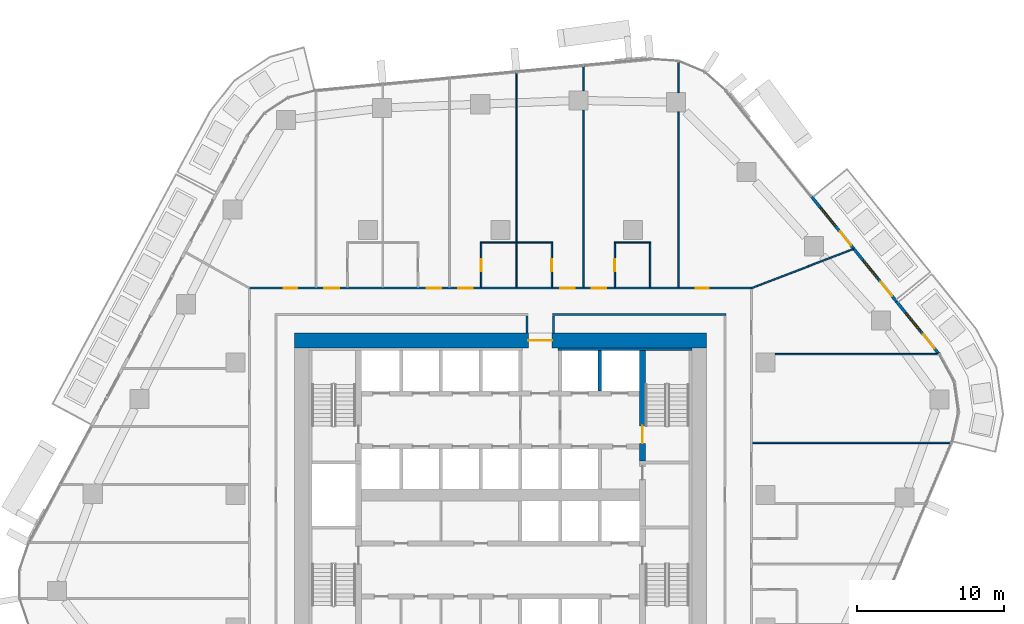
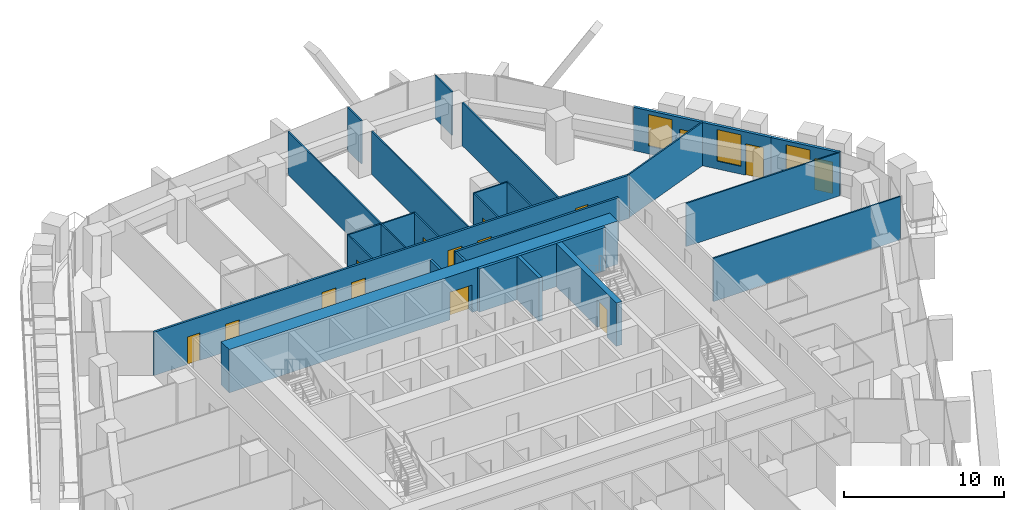
# One storey, part 16 of 23: 25 walls, 15 doors, 3 windows, 18 openings.
"""IFC4 building model written with IfcOpenShell, lengths in metres."""

import ifcopenshell
import ifcopenshell.guid

model = None  # the IFC model being written
_history = None  # IfcOwnerHistory: only IFC2X3 demands one
_inside = {}  # id of a spatial element -> (the spatial element, [elements in it])
_under = {}  # id of a project, library or spatial element -> (it, [spatial elements below it])
_declared = {}  # id of a project -> (the project, [libraries it declares])
_typed = {}  # id of a type object -> (the type object, [elements of that type])
_made_of = {}  # id of a material, layer set ... -> (it, [elements and type objects made of it])


def new_model(schema):
    """Start an empty IFC model of exactly this schema.

    Asked for "IFC4X3", IfcOpenShell would pick the latest addendum, in which some entities
    have other attributes; the version numbers below select the first issue.
    IFC2X3 requires an IfcOwnerHistory on every rooted entity: one is made here for all.
    """
    global model, _history
    if schema == "IFC4X3":
        model = ifcopenshell.file(schema_version=(4, 3, 0, 0))
    else:
        model = ifcopenshell.file(schema=schema)
    _inside.clear()
    _under.clear()
    _declared.clear()
    _typed.clear()
    _made_of.clear()
    _history = None
    if model.schema == "IFC2X3":
        org = make("IfcOrganization", Name="unknown")
        user = make(
            "IfcPersonAndOrganization",
            ThePerson=make("IfcPerson", FamilyName="unknown"),
            TheOrganization=org,
        )
        app = make(
            "IfcApplication",
            ApplicationDeveloper=org,
            Version="unknown",
            ApplicationFullName="unknown",
            ApplicationIdentifier="unknown",
        )
        _history = make(
            "IfcOwnerHistory",
            OwningUser=user,
            OwningApplication=app,
            ChangeAction="ADDED",
            CreationDate=0,
        )
    return model


def make(cls, **values):
    """One entity of the class cls with the attributes given. An attribute that is None is left unset."""
    return model.create_entity(
        cls, **{name: value for name, value in values.items() if value is not None}
    )


def rooted(cls, **values):
    """An entity with a GlobalId (a new one), such as an element, a storey or a relation."""
    return make(cls, GlobalId=ifcopenshell.guid.new(), OwnerHistory=_history, **values)


def si_unit(unit_type, name, prefix=None):
    """IfcSIUnit, for example si_unit("LENGTHUNIT", "METRE", prefix="MILLI")."""
    return make("IfcSIUnit", UnitType=unit_type, Prefix=prefix, Name=name)


def assignment(units):
    """IfcUnitAssignment: the units of a project."""
    return None if units is None else make("IfcUnitAssignment", Units=units)


def point(xyz):
    """IfcCartesianPoint."""
    return None if xyz is None else make("IfcCartesianPoint", Coordinates=xyz)


def direction(xyz):
    """IfcDirection."""
    return None if xyz is None else make("IfcDirection", DirectionRatios=xyz)


def frame(location, z_axis=None, x_axis=None):
    """IfcAxis2Placement3D, a coordinate frame: its origin and axes. An axis left out is left unset."""
    return make(
        "IfcAxis2Placement3D",
        Location=point(location),
        Axis=direction(z_axis),
        RefDirection=direction(x_axis),
    )


def frame_2d(location, x_axis=None):
    """IfcAxis2Placement2D, a coordinate frame in the plane: its origin and x axis."""
    return make(
        "IfcAxis2Placement2D", Location=point(location), RefDirection=direction(x_axis)
    )


def origin():
    """The frame at (0, 0, 0) with its axes left unset."""
    return frame((0.0, 0.0, 0.0))


def place(relative_to, where):
    """IfcLocalPlacement: puts the frame where relative to a parent placement (None: the world)."""
    return make(
        "IfcLocalPlacement", PlacementRelTo=relative_to, RelativePlacement=where
    )


def context(
    kind, dimensions, precision=None, world=None, true_north=None, identifier=None
):
    """IfcGeometricRepresentationContext, for example the 3D "Model" context."""
    return make(
        "IfcGeometricRepresentationContext",
        ContextIdentifier=identifier,
        ContextType=kind,
        CoordinateSpaceDimension=dimensions,
        Precision=precision,
        WorldCoordinateSystem=world,
        TrueNorth=true_north,
    )


def subcontext(parent, identifier, kind, view, scale=None):
    """IfcGeometricRepresentationSubContext, for example "Body" below "Model"."""
    return make(
        "IfcGeometricRepresentationSubContext",
        ContextIdentifier=identifier,
        ContextType=kind,
        ParentContext=parent,
        TargetScale=scale,
        TargetView=view,
    )


def project(units=None, contexts=None):
    """IfcProject with its units and contexts."""
    return rooted(
        "IfcProject",
        Name="project",
        RepresentationContexts=contexts,
        UnitsInContext=assignment(units),
    )


def spatial(cls, under=None, at=None, **own):
    """A site, building, storey or space (cls), placed at a placement, below another one or the project."""
    s = rooted(cls, ObjectPlacement=at, **own)
    if under is not None:
        _under.setdefault(under.id(), (under, []))[1].append(s)
    return s


def profile(cls, at=None, kind="AREA", **sizes):
    """A parametric profile (cls). Its sizes go by their IFC names, for example OverallWidth=200.0."""
    return make(cls, ProfileType=kind, Position=at, **sizes)


def rectangle(**sizes):
    """IfcRectangleProfileDef."""
    return profile("IfcRectangleProfileDef", **sizes)


def extrude(swept, where, along, depth):
    """IfcExtrudedAreaSolid: the profile swept, set in the frame where, extruded along a direction by depth."""
    return make(
        "IfcExtrudedAreaSolid",
        SweptArea=swept,
        Position=where,
        ExtrudedDirection=direction(along),
        Depth=depth,
    )


def shape(context_of_items, identifier, shape_type, items):
    """IfcShapeRepresentation: the items that make up one representation, for example the "Body"."""
    return make(
        "IfcShapeRepresentation",
        ContextOfItems=context_of_items,
        RepresentationIdentifier=identifier,
        RepresentationType=shape_type,
        Items=items,
    )


def material(Name=None, Category=None):
    """IfcMaterial."""
    return make("IfcMaterial", Name=Name, Category=Category)


def layer(
    of_material, thickness, ventilated=None, Name=None, Category=None, Priority=None
):
    """IfcMaterialLayer: one layer of a wall or slab, of a material (None: an air gap)."""
    return make(
        "IfcMaterialLayer",
        Material=of_material,
        LayerThickness=thickness,
        IsVentilated=ventilated,
        Name=Name,
        Category=Category,
        Priority=Priority,
    )


def layer_set(layers, Name=None):
    """IfcMaterialLayerSet."""
    return make("IfcMaterialLayerSet", MaterialLayers=layers, LayerSetName=Name)


def made_of(thing, what):
    """Note that an element or type object is made of a material, layer set ...; save() writes the relation."""
    if what is not None:
        _made_of.setdefault(what.id(), (what, []))[1].append(thing)
    return thing


def type_object(cls, material=None, **own):
    """A type object (cls), such as IfcWallType, which elements share."""
    return made_of(rooted(cls, **own), material)


def element(
    cls,
    number,
    at=None,
    inside=None,
    cuts=None,
    type_object=None,
    material=None,
    context=None,
    identifier="Body",
    shape_type=None,
    held_by="IfcProductDefinitionShape",
    body=None,
    shapes=None,
    **own,
):
    """One element of the class cls, such as IfcWall. Its Tag is "e" and its number.

    at: its placement. inside: the storey or other place that contains it. cuts: it is an
    opening in that element (IfcRelVoidsElement). A single representation is given by context,
    identifier, shape_type and body (its items); several are given by shapes. held_by: the class
    of the entity that holds the representations. save() writes the other relations.
    """
    e = rooted(cls, Tag="e%d" % number, ObjectPlacement=at, **own)
    if body is not None:
        shapes = [shape(context, identifier, shape_type, body)]
    if shapes is not None:
        e.Representation = make(held_by, Representations=shapes)
    if inside is not None:
        _inside.setdefault(inside.id(), (inside, []))[1].append(e)
    if cuts is not None:
        rooted(
            "IfcRelVoidsElement", RelatingBuildingElement=cuts, RelatedOpeningElement=e
        )
    if type_object is not None:
        _typed.setdefault(type_object.id(), (type_object, []))[1].append(e)
    return made_of(e, material)


def fill(opening, filler):
    """IfcRelFillsElement: the door or window that sits in an opening."""
    return rooted(
        "IfcRelFillsElement",
        RelatingOpeningElement=opening,
        RelatedBuildingElement=filler,
    )


def aggregate(whole, parts):
    """IfcRelAggregates: a whole, such as a stair, and the parts it consists of."""
    return rooted("IfcRelAggregates", RelatingObject=whole, RelatedObjects=parts)


def save(model, path):
    """Write the relations noted so far, then the file.

    IfcRelAggregates (storeys below a building ...), IfcRelContainedInSpatialStructure (elements
    in a storey), IfcRelDefinesByType, IfcRelAssociatesMaterial and IfcRelDeclares: one each for
    every whole, place, type object, material and project.
    """
    for whole, parts in _under.values():
        aggregate(whole, parts)
    for where, things in _inside.values():
        rooted(
            "IfcRelContainedInSpatialStructure",
            RelatedElements=things,
            RelatingStructure=where,
        )
    for kind, things in _typed.values():
        rooted("IfcRelDefinesByType", RelatedObjects=things, RelatingType=kind)
    for what, things in _made_of.values():
        rooted("IfcRelAssociatesMaterial", RelatedObjects=things, RelatingMaterial=what)
    for by, libraries in _declared.values():
        rooted("IfcRelDeclares", RelatingContext=by, RelatedDefinitions=libraries)
    model.write(path)


model = new_model("IFC4")

# Units and contexts
model_context = context("Model", 3, precision=1e-05, world=origin(), true_north=direction((0.0, 1.0)))
body_context = subcontext(model_context, "Body", "Model", "MODEL_VIEW")
ifc_project = project(units=[si_unit("LENGTHUNIT", "METRE"), si_unit("AREAUNIT", "SQUARE_METRE"), si_unit("VOLUMEUNIT", "CUBIC_METRE"), si_unit("PLANEANGLEUNIT", "RADIAN"), si_unit("MASSUNIT", "GRAM", prefix="KILO")], contexts=[model_context])

# Site, building, storey
site_placement = place(None, origin())
site = spatial("IfcSite", under=ifc_project, at=site_placement, CompositionType="ELEMENT")
building_placement = place(site_placement, origin())
building = spatial("IfcBuilding", under=site, at=building_placement, Name="Dongbaek Canopy Tower", CompositionType="ELEMENT")
storey_placement = place(building_placement, frame((0.0, 0.0, 121.10009765625)))
storey = spatial("IfcBuildingStorey", under=building, at=storey_placement, Name="L26", CompositionType="ELEMENT", Elevation=121.10009765625)

# Wall, opening, door
ifc_material_1 = material(Name="Concrete C60/75", Category="concrete")
ifc_layer_1 = layer(ifc_material_1, 1.0)
ifc_layer_set_1 = layer_set([ifc_layer_1], Name="Core outer wall 1000 Concrete C60/75")
wall_type_1 = type_object("IfcWallType", Name="Core outer wall 1000 Concrete C60/75", PredefinedType="SHEAR", material=ifc_layer_set_1)
wall_1_placement = place(storey_placement, frame((-14.0, 10.5, 0.0), z_axis=(0.0, 0.0, 1.0), x_axis=(1.0, 0.0, 0.0)))
wall_1 = element("IfcWall", 1, at=wall_1_placement, inside=storey, type_object=wall_type_1, Name="Core wall", PredefinedType="SHEAR", context=body_context, shape_type="SweptSolid", body=[
    extrude(rectangle(XDim=28.0, YDim=1.0, at=frame_2d((14.0, 0.0))), origin(), (0.0, 0.0, 1.0), 3.2998046875),
])
opening_1_placement = place(wall_1_placement, frame((15.89990234375, 0.0, 0.0)))
opening_1 = element("IfcOpeningElement", 2, at=opening_1_placement, cuts=wall_1, Name="Opening L26-D048", PredefinedType="OPENING", context=body_context, shape_type="SweptSolid", body=[
    extrude(rectangle(XDim=1.60009765625, YDim=2.10009765625, at=frame_2d((0.800048828125, 1.050048828125))), frame((0.0, 0.510009765625, 0.0), z_axis=(0.0, -1.0, 0.0), x_axis=(1.0, 0.0, 0.0)), (0.0, 0.0, 1.0), 1.02001953125),
])
ifc_material_2 = material(Name="Steel", Category="steel")
door_type_1 = type_object("IfcDoorType", Name="Core exit door 1600 x 2100", OperationType="DOUBLE_DOOR_SINGLE_SWING", PredefinedType="DOOR", material=ifc_material_2)
door_1_placement = place(opening_1_placement, origin())
door_1 = element("IfcDoor", 3, at=door_1_placement, inside=storey, type_object=door_type_1, Name="Core exit door", OperationType="DOUBLE_DOOR_SINGLE_SWING", OverallHeight=2.10009765625, OverallWidth=1.60009765625, PredefinedType="DOOR", context=body_context, shape_type="SweptSolid", body=[
    extrude(rectangle(XDim=1.60009765625, YDim=2.10009765625, at=frame_2d((0.800048828125, 1.050048828125))), frame((0.0, 0.02490234375, 0.0), z_axis=(0.0, -1.0, 0.0), x_axis=(1.0, 0.0, 0.0)), (0.0, 0.0, 1.0), 0.050048828125),
])
fill(opening_1, door_1)

# Walls
ifc_material_3 = material(Name="Concrete C60/75", Category="concrete")
ifc_layer_2 = layer(ifc_material_3, 0.199951171875)
ifc_layer_set_2 = layer_set([ifc_layer_2], Name="Core wall lining 200 Concrete C60/75")
wall_type_2 = type_object("IfcWallType", Name="Core wall lining 200 Concrete C60/75", PredefinedType="SHEAR", material=ifc_layer_set_2)
wall_2_placement = place(storey_placement, frame((3.89990234375, 9.89990234375, 0.0), z_axis=(0.0, 0.0, 1.0), x_axis=(1.0, 0.0, 0.0)))
element("IfcWall", 4, at=wall_2_placement, inside=storey, type_object=wall_type_2, Name="Core wall lining", PredefinedType="SHEAR", context=body_context, shape_type="SweptSolid", body=[
    extrude(rectangle(XDim=9.10009765625, YDim=0.199951171875, at=frame_2d((4.550048828125, 0.0))), origin(), (0.0, 0.0, 1.0), 3.2998046875),
])
ifc_material_4 = material(Name="Gypsum board partition, steel stud, 2 x 15 mm fire board", Category="steel")
ifc_layer_3 = layer(ifc_material_4, 0.14990234375)
ifc_layer_set_3 = layer_set([ifc_layer_3], Name="Fire-rated partition 150 gypsum board")
wall_type_3 = type_object("IfcWallType", Name="Fire-rated partition 150 gypsum board", PredefinedType="PARTITIONING", material=ifc_layer_set_3)
wall_3_placement = place(storey_placement, frame((3.52490234375, 12.25, 0.0), z_axis=(0.0, 0.0, 1.0), x_axis=(1.0, 0.0, 0.0)))
element("IfcWall", 5, at=wall_3_placement, inside=storey, type_object=wall_type_3, Name="Corridor partition", PredefinedType="PARTITIONING", context=body_context, shape_type="SweptSolid", body=[
    extrude(rectangle(XDim=11.800048828125, YDim=0.14990234375, at=frame_2d((5.89990234375, 0.0))), origin(), (0.0, 0.0, 1.0), 3.2998046875),
])

# Wall, openings, doors
wall_4_placement = place(storey_placement, frame((-17.125, 14.050048828125, 0.0), z_axis=(0.0, 0.0, 1.0), x_axis=(1.0, 0.0, 0.0)))
wall_4 = element("IfcWall", 6, at=wall_4_placement, inside=storey, type_object=wall_type_3, Name="Corridor partition", PredefinedType="PARTITIONING", context=body_context, shape_type="SweptSolid", body=[
    extrude(rectangle(XDim=34.25, YDim=0.14990234375, at=frame_2d((17.125, 0.0))), origin(), (0.0, 0.0, 1.0), 3.2998046875),
])
opening_2_placement = place(wall_4_placement, frame((30.376708984375, 0.0, 0.0)))
opening_2 = element("IfcOpeningElement", 7, at=opening_2_placement, cuts=wall_4, Name="Opening L26-D026", PredefinedType="OPENING", context=body_context, shape_type="SweptSolid", body=[
    extrude(rectangle(XDim=0.89990234375, YDim=2.10009765625, at=frame_2d((0.449951171875, 1.050048828125))), frame((0.0, 0.0849609375, 0.0), z_axis=(0.0, -1.0, 0.0), x_axis=(1.0, 0.0, 0.0)), (0.0, 0.0, 1.0), 0.169921875),
])
opening_3_placement = place(wall_4_placement, frame((23.320556640625, 0.0, 0.0)))
opening_3 = element("IfcOpeningElement", 8, at=opening_3_placement, cuts=wall_4, Name="Opening L26-D028", PredefinedType="OPENING", context=body_context, shape_type="SweptSolid", body=[
    extrude(rectangle(XDim=1.0, YDim=2.10009765625, at=frame_2d((0.5, 1.050048828125))), frame((0.0, 0.0849609375, 0.0), z_axis=(0.0, -1.0, 0.0), x_axis=(1.0, 0.0, 0.0)), (0.0, 0.0, 1.0), 0.169921875),
])
opening_4_placement = place(wall_4_placement, frame((21.182861328125, 0.0, 0.0)))
opening_4 = element("IfcOpeningElement", 9, at=opening_4_placement, cuts=wall_4, Name="Opening L26-D030", PredefinedType="OPENING", context=body_context, shape_type="SweptSolid", body=[
    extrude(rectangle(XDim=1.0, YDim=2.10009765625, at=frame_2d((0.5, 1.050048828125))), frame((0.0, 0.0849609375, 0.0), z_axis=(0.0, -1.0, 0.0), x_axis=(1.0, 0.0, 0.0)), (0.0, 0.0, 1.0), 0.169921875),
])
opening_5_placement = place(wall_4_placement, frame((14.240966796875, 0.0, 0.0)))
opening_5 = element("IfcOpeningElement", 10, at=opening_5_placement, cuts=wall_4, Name="Opening L26-D032", PredefinedType="OPENING", context=body_context, shape_type="SweptSolid", body=[
    extrude(rectangle(XDim=1.0, YDim=2.10009765625, at=frame_2d((0.5, 1.050048828125))), frame((0.0, 0.0849609375, 0.0), z_axis=(0.0, -1.0, 0.0), x_axis=(1.0, 0.0, 0.0)), (0.0, 0.0, 1.0), 0.169921875),
])
opening_6_placement = place(wall_4_placement, frame((12.09912109375, 0.0, 0.0)))
opening_6 = element("IfcOpeningElement", 11, at=opening_6_placement, cuts=wall_4, Name="Opening L26-D034", PredefinedType="OPENING", context=body_context, shape_type="SweptSolid", body=[
    extrude(rectangle(XDim=1.0, YDim=2.10009765625, at=frame_2d((0.5, 1.050048828125))), frame((0.0, 0.0849609375, 0.0), z_axis=(0.0, -1.0, 0.0), x_axis=(1.0, 0.0, 0.0)), (0.0, 0.0, 1.0), 0.169921875),
])
opening_7_placement = place(wall_4_placement, frame((5.161376953125, 0.0, 0.0)))
opening_7 = element("IfcOpeningElement", 12, at=opening_7_placement, cuts=wall_4, Name="Opening L26-D036", PredefinedType="OPENING", context=body_context, shape_type="SweptSolid", body=[
    extrude(rectangle(XDim=1.0, YDim=2.10009765625, at=frame_2d((0.5, 1.050048828125))), frame((0.0, 0.0849609375, 0.0), z_axis=(0.0, -1.0, 0.0), x_axis=(1.0, 0.0, 0.0)), (0.0, 0.0, 1.0), 0.169921875),
])
opening_8_placement = place(wall_4_placement, frame((2.406494140625, 0.0, 0.0)))
opening_8 = element("IfcOpeningElement", 13, at=opening_8_placement, cuts=wall_4, Name="Opening L26-D037", PredefinedType="OPENING", context=body_context, shape_type="SweptSolid", body=[
    extrude(rectangle(XDim=0.89990234375, YDim=2.10009765625, at=frame_2d((0.449951171875, 1.050048828125))), frame((0.0, 0.0849609375, 0.0), z_axis=(0.0, -1.0, 0.0), x_axis=(1.0, 0.0, 0.0)), (0.0, 0.0, 1.0), 0.169921875),
])
ifc_material_5 = material(Name="Timber veneered door leaf", Category="wood")
door_type_2 = type_object("IfcDoorType", Name="Guest room door 1000 x 2100", OperationType="SINGLE_SWING_LEFT", PredefinedType="DOOR", material=ifc_material_5)
door_2_placement = place(opening_3_placement, origin())
door_2 = element("IfcDoor", 14, at=door_2_placement, inside=storey, type_object=door_type_2, Name="Door L26-D028", OperationType="SINGLE_SWING_RIGHT", OverallHeight=2.10009765625, OverallWidth=1.0, PredefinedType="DOOR", context=body_context, shape_type="SweptSolid", body=[
    extrude(rectangle(XDim=1.0, YDim=2.10009765625, at=frame_2d((0.5, 1.050048828125))), frame((0.0, 0.02490234375, 0.0), z_axis=(0.0, -1.0, 0.0), x_axis=(1.0, 0.0, 0.0)), (0.0, 0.0, 1.0), 0.050048828125),
])
fill(opening_3, door_2)
door_3_placement = place(opening_4_placement, origin())
door_3 = element("IfcDoor", 15, at=door_3_placement, inside=storey, type_object=door_type_2, Name="Door L26-D030", OperationType="SINGLE_SWING_LEFT", OverallHeight=2.10009765625, OverallWidth=1.0, PredefinedType="DOOR", context=body_context, shape_type="SweptSolid", body=[
    extrude(rectangle(XDim=1.0, YDim=2.10009765625, at=frame_2d((0.5, 1.050048828125))), frame((0.0, 0.02490234375, 0.0), z_axis=(0.0, -1.0, 0.0), x_axis=(1.0, 0.0, 0.0)), (0.0, 0.0, 1.0), 0.050048828125),
])
fill(opening_4, door_3)
door_4_placement = place(opening_5_placement, origin())
door_4 = element("IfcDoor", 16, at=door_4_placement, inside=storey, type_object=door_type_2, Name="Door L26-D032", OperationType="SINGLE_SWING_RIGHT", OverallHeight=2.10009765625, OverallWidth=1.0, PredefinedType="DOOR", context=body_context, shape_type="SweptSolid", body=[
    extrude(rectangle(XDim=1.0, YDim=2.10009765625, at=frame_2d((0.5, 1.050048828125))), frame((0.0, 0.02490234375, 0.0), z_axis=(0.0, -1.0, 0.0), x_axis=(1.0, 0.0, 0.0)), (0.0, 0.0, 1.0), 0.050048828125),
])
fill(opening_5, door_4)
door_5_placement = place(opening_6_placement, origin())
door_5 = element("IfcDoor", 17, at=door_5_placement, inside=storey, type_object=door_type_2, Name="Door L26-D034", OperationType="SINGLE_SWING_LEFT", OverallHeight=2.10009765625, OverallWidth=1.0, PredefinedType="DOOR", context=body_context, shape_type="SweptSolid", body=[
    extrude(rectangle(XDim=1.0, YDim=2.10009765625, at=frame_2d((0.5, 1.050048828125))), frame((0.0, 0.02490234375, 0.0), z_axis=(0.0, -1.0, 0.0), x_axis=(1.0, 0.0, 0.0)), (0.0, 0.0, 1.0), 0.050048828125),
])
fill(opening_6, door_5)
door_6_placement = place(opening_7_placement, origin())
door_6 = element("IfcDoor", 18, at=door_6_placement, inside=storey, type_object=door_type_2, Name="Door L26-D036", OperationType="SINGLE_SWING_RIGHT", OverallHeight=2.10009765625, OverallWidth=1.0, PredefinedType="DOOR", context=body_context, shape_type="SweptSolid", body=[
    extrude(rectangle(XDim=1.0, YDim=2.10009765625, at=frame_2d((0.5, 1.050048828125))), frame((0.0, 0.02490234375, 0.0), z_axis=(0.0, -1.0, 0.0), x_axis=(1.0, 0.0, 0.0)), (0.0, 0.0, 1.0), 0.050048828125),
])
fill(opening_7, door_6)
ifc_material_6 = material(Name="Timber veneered door leaf", Category="wood")
door_type_3 = type_object("IfcDoorType", Name="Room door 900 x 2100", OperationType="SINGLE_SWING_LEFT", PredefinedType="DOOR", material=ifc_material_6)
door_7_placement = place(opening_2_placement, origin())
door_7 = element("IfcDoor", 19, at=door_7_placement, inside=storey, type_object=door_type_3, Name="Door L26-D026", OperationType="SINGLE_SWING_LEFT", OverallHeight=2.10009765625, OverallWidth=0.89990234375, PredefinedType="DOOR", context=body_context, shape_type="SweptSolid", body=[
    extrude(rectangle(XDim=0.89990234375, YDim=2.10009765625, at=frame_2d((0.449951171875, 1.050048828125))), frame((0.0, 0.02490234375, 0.0), z_axis=(0.0, -1.0, 0.0), x_axis=(1.0, 0.0, 0.0)), (0.0, 0.0, 1.0), 0.050048828125),
])
fill(opening_2, door_7)
door_8_placement = place(opening_8_placement, origin())
door_8 = element("IfcDoor", 20, at=door_8_placement, inside=storey, type_object=door_type_3, Name="Door L26-D037", OperationType="SINGLE_SWING_LEFT", OverallHeight=2.10009765625, OverallWidth=0.89990234375, PredefinedType="DOOR", context=body_context, shape_type="SweptSolid", body=[
    extrude(rectangle(XDim=0.89990234375, YDim=2.10009765625, at=frame_2d((0.449951171875, 1.050048828125))), frame((0.0, 0.02490234375, 0.0), z_axis=(0.0, -1.0, 0.0), x_axis=(1.0, 0.0, 0.0)), (0.0, 0.0, 1.0), 0.050048828125),
])
fill(opening_8, door_8)

# Walls
for number, where, z_axis, x_axis, name in (
    (21, (3.60009765625, 11.0, 0.0), (0.0, 0.0, 1.0), (0.0, 1.0, 0.0), "Corridor partition"),
    (22, (1.800048828125, 11.0, 0.0), (0.0, 0.0, 1.0), (0.0, 1.0, 0.0), "Corridor partition"),
):
    element("IfcWall", number, at=place(storey_placement, frame(where, z_axis=z_axis, x_axis=x_axis)), inside=storey, type_object=wall_type_3, Name=name, PredefinedType="PARTITIONING", context=body_context, shape_type="SweptSolid", body=[
        extrude(rectangle(XDim=1.175048828125, YDim=0.14990234375, at=frame_2d((0.58740234375, 0.0))), origin(), (0.0, 0.0, 1.0), 3.2998046875),
    ])
ifc_material_7 = material(Name="Concrete C40/50", Category="concrete")
ifc_layer_4 = layer(ifc_material_7, 0.25)
ifc_layer_set_4 = layer_set([ifc_layer_4], Name="Lift shaft wall 250 Concrete C40/50")
wall_type_4 = type_object("IfcWallType", Name="Lift shaft wall 250 Concrete C40/50", PredefinedType="SOLIDWALL", material=ifc_layer_set_4)
wall_5_placement = place(storey_placement, frame((6.75, 7.074951171875, 0.0), z_axis=(0.0, 0.0, 1.0), x_axis=(0.0, 1.0, 0.0)))
element("IfcWall", 23, at=wall_5_placement, inside=storey, type_object=wall_type_4, Name="Lift shaft wall", PredefinedType="SOLIDWALL", context=body_context, shape_type="SweptSolid", body=[
    extrude(rectangle(XDim=2.72509765625, YDim=0.25, at=frame_2d((1.362548828125, 0.0))), origin(), (0.0, 0.0, 1.0), 3.2998046875),
])
ifc_material_8 = material(Name="Gypsum board partition, steel stud, 2 x 12.5 mm board", Category="steel")
ifc_layer_5 = layer(ifc_material_8, 0.10009765625)
ifc_layer_set_5 = layer_set([ifc_layer_5], Name="Partition 100 gypsum board")
wall_type_5 = type_object("IfcWallType", Name="Partition 100 gypsum board", PredefinedType="PARTITIONING", material=ifc_layer_set_5)
wall_6_placement = place(storey_placement, frame((17.125, 3.544921875, 0.0), z_axis=(0.0, 0.0, 1.0), x_axis=(1.0, 0.0, 0.0)))
element("IfcWall", 24, at=wall_6_placement, inside=storey, type_object=wall_type_5, Name="Partition", PredefinedType="PARTITIONING", context=body_context, shape_type="SweptSolid", body=[
    extrude(rectangle(XDim=13.48681640625, YDim=0.10009765625, at=frame_2d((6.743408203125, 0.0))), origin(), (0.0, 0.0, 1.0), 3.2998046875),
])
wall_7_placement = place(storey_placement, frame((18.64990234375, 9.572021484375, 0.0), z_axis=(0.0, 0.0, 1.0), x_axis=(1.0, 0.0, 0.0)))
element("IfcWall", 25, at=wall_7_placement, inside=storey, type_object=wall_type_5, Name="Partition", PredefinedType="PARTITIONING", context=body_context, shape_type="SweptSolid", body=[
    extrude(rectangle(XDim=11.107421875, YDim=0.10009765625, at=frame_2d((5.5537109375, 0.0))), origin(), (0.0, 0.0, 1.0), 3.2998046875),
])
wall_8_placement = place(storey_placement, frame((-1.363037109375, 17.14990234375, 0.0), z_axis=(0.0, 0.0, 1.0), x_axis=(1.0, 0.0, 0.0)))
element("IfcWall", 26, at=wall_8_placement, inside=storey, type_object=wall_type_5, Name="Partition", PredefinedType="PARTITIONING", context=body_context, shape_type="SweptSolid", body=[
    extrude(rectangle(XDim=4.89990234375, YDim=0.10009765625, at=frame_2d((2.449951171875, 0.0))), origin(), (0.0, 0.0, 1.0), 3.2998046875),
])
wall_9_placement = place(storey_placement, frame((7.71240234375, 17.14990234375, 0.0), z_axis=(0.0, 0.0, 1.0), x_axis=(1.0, 0.0, 0.0)))
element("IfcWall", 27, at=wall_9_placement, inside=storey, type_object=wall_type_5, Name="Partition", PredefinedType="PARTITIONING", context=body_context, shape_type="SweptSolid", body=[
    extrude(rectangle(XDim=2.5, YDim=0.10009765625, at=frame_2d((1.25, 0.0))), origin(), (0.0, 0.0, 1.0), 3.2998046875),
])
wall_10_placement = place(storey_placement, frame((17.050048828125, 14.0498046875, 0.0), z_axis=(0.0, 0.0, 1.0), x_axis=(0.933461735893, 0.358676996228, 0.0)))
element("IfcWall", 28, at=wall_10_placement, inside=storey, type_object=wall_type_5, Name="Partition", PredefinedType="PARTITIONING", context=body_context, shape_type="SweptSolid", body=[
    extrude(rectangle(XDim=7.419921875, YDim=0.10009765625, at=frame_2d((3.7099609375, 0.0))), origin(), (0.0, 0.0, 1.0), 3.2998046875),
])
wall_11_placement = place(storey_placement, frame((12.091064453125, 14.125, 0.0), z_axis=(0.0, 0.0, 1.0), x_axis=(0.0, 1.0, 0.0)))
element("IfcWall", 29, at=wall_11_placement, inside=storey, type_object=wall_type_5, Name="Partition", PredefinedType="PARTITIONING", context=body_context, shape_type="SweptSolid", body=[
    extrude(rectangle(XDim=11.89892578125, YDim=0.10009765625, at=frame_2d((5.949462890625, 0.0))), origin(), (0.0, 0.0, 1.0), 3.2998046875),
])
wall_12_placement = place(storey_placement, frame((12.091064453125, 27.323974609375, 0.0), z_axis=(0.0, 0.0, 1.0), x_axis=(0.0, 1.0, 0.0)))
element("IfcWall", 30, at=wall_12_placement, inside=storey, type_object=wall_type_5, Name="Partition", PredefinedType="PARTITIONING", context=body_context, shape_type="SweptSolid", body=[
    extrude(rectangle(XDim=2.12841796875, YDim=0.10009765625, at=frame_2d((1.064208984375, 0.0))), origin(), (0.0, 0.0, 1.0), 3.2998046875),
])
wall_13_placement = place(storey_placement, frame((10.162109375, 14.125, 0.0), z_axis=(0.0, 0.0, 1.0), x_axis=(0.0, 1.0, 0.0)))
element("IfcWall", 31, at=wall_13_placement, inside=storey, type_object=wall_type_5, Name="Partition", PredefinedType="PARTITIONING", context=body_context, shape_type="SweptSolid", body=[
    extrude(rectangle(XDim=2.97509765625, YDim=0.10009765625, at=frame_2d((1.487548828125, 0.0))), origin(), (0.0, 0.0, 1.0), 3.2998046875),
])

# Wall, opening, door
wall_14_placement = place(storey_placement, frame((7.761962890625, 17.14990234375, 0.0), z_axis=(0.0, 0.0, 1.0), x_axis=(0.0, -1.0, 0.0)))
wall_14 = element("IfcWall", 32, at=wall_14_placement, inside=storey, type_object=wall_type_5, Name="Partition", PredefinedType="PARTITIONING", context=body_context, shape_type="SweptSolid", body=[
    extrude(rectangle(XDim=3.02490234375, YDim=0.10009765625, at=frame_2d((1.512451171875, 0.0))), origin(), (0.0, 0.0, 1.0), 3.2998046875),
])
opening_9_placement = place(wall_14_placement, frame((1.14990234375, 0.0, 0.0)))
opening_9 = element("IfcOpeningElement", 33, at=opening_9_placement, cuts=wall_14, Name="Opening L26-D027", PredefinedType="OPENING", context=body_context, shape_type="SweptSolid", body=[
    extrude(rectangle(XDim=0.800048828125, YDim=2.10009765625, at=frame_2d((0.39990234375, 1.050048828125))), frame((0.0, 0.06005859375, 0.0), z_axis=(0.0, -1.0, 0.0), x_axis=(1.0, 0.0, 0.0)), (0.0, 0.0, 1.0), 0.1201171875),
])
ifc_material_9 = material(Name="Timber veneered door leaf", Category="wood")
door_type_4 = type_object("IfcDoorType", Name="En-suite door 800 x 2100", OperationType="SINGLE_SWING_LEFT", PredefinedType="DOOR", material=ifc_material_9)
door_9_placement = place(opening_9_placement, origin())
door_9 = element("IfcDoor", 34, at=door_9_placement, inside=storey, type_object=door_type_4, Name="Door L26-D027", OperationType="SINGLE_SWING_LEFT", OverallHeight=2.10009765625, OverallWidth=0.800048828125, PredefinedType="DOOR", context=body_context, shape_type="SweptSolid", body=[
    extrude(rectangle(XDim=0.800048828125, YDim=2.10009765625, at=frame_2d((0.39990234375, 1.050048828125))), frame((0.0, 0.02490234375, 0.0), z_axis=(0.0, -1.0, 0.0), x_axis=(1.0, 0.0, 0.0)), (0.0, 0.0, 1.0), 0.050048828125),
])
fill(opening_9, door_9)

# Walls
wall_15_placement = place(storey_placement, frame((5.62890625, 14.125, 0.0), z_axis=(0.0, 0.0, 1.0), x_axis=(0.0, 1.0, 0.0)))
element("IfcWall", 35, at=wall_15_placement, inside=storey, type_object=wall_type_5, Name="Partition", PredefinedType="PARTITIONING", context=body_context, shape_type="SweptSolid", body=[
    extrude(rectangle(XDim=12.02294921875, YDim=0.10009765625, at=frame_2d((6.011474609375, 0.0))), origin(), (0.0, 0.0, 1.0), 3.2998046875),
])
wall_16_placement = place(storey_placement, frame((5.62890625, 27.447998046875, 0.0), z_axis=(0.0, 0.0, 1.0), x_axis=(0.0, 1.0, 0.0)))
element("IfcWall", 36, at=wall_16_placement, inside=storey, type_object=wall_type_5, Name="Partition", PredefinedType="PARTITIONING", context=body_context, shape_type="SweptSolid", body=[
    extrude(rectangle(XDim=1.716796875, YDim=0.10009765625, at=frame_2d((0.8583984375, 0.0))), origin(), (0.0, 0.0, 1.0), 3.2998046875),
])

# Wall, opening, door
wall_17_placement = place(storey_placement, frame((3.487060546875, 14.125, 0.0), z_axis=(0.0, 0.0, 1.0), x_axis=(0.0, 1.0, 0.0)))
wall_17 = element("IfcWall", 37, at=wall_17_placement, inside=storey, type_object=wall_type_5, Name="Partition", PredefinedType="PARTITIONING", context=body_context, shape_type="SweptSolid", body=[
    extrude(rectangle(XDim=3.02490234375, YDim=0.10009765625, at=frame_2d((1.512451171875, 0.0))), origin(), (0.0, 0.0, 1.0), 3.2998046875),
])
opening_10_placement = place(wall_17_placement, frame((1.074951171875, 0.0, 0.0)))
opening_10 = element("IfcOpeningElement", 38, at=opening_10_placement, cuts=wall_17, Name="Opening L26-D029", PredefinedType="OPENING", context=body_context, shape_type="SweptSolid", body=[
    extrude(rectangle(XDim=0.800048828125, YDim=2.10009765625, at=frame_2d((0.39990234375, 1.050048828125))), frame((0.0, 0.06005859375, 0.0), z_axis=(0.0, -1.0, 0.0), x_axis=(1.0, 0.0, 0.0)), (0.0, 0.0, 1.0), 0.1201171875),
])
door_10_placement = place(opening_10_placement, origin())
door_10 = element("IfcDoor", 39, at=door_10_placement, inside=storey, type_object=door_type_4, Name="Door L26-D029", OperationType="SINGLE_SWING_RIGHT", OverallHeight=2.10009765625, OverallWidth=0.800048828125, PredefinedType="DOOR", context=body_context, shape_type="SweptSolid", body=[
    extrude(rectangle(XDim=0.800048828125, YDim=2.10009765625, at=frame_2d((0.39990234375, 1.050048828125))), frame((0.0, 0.02490234375, 0.0), z_axis=(0.0, -1.0, 0.0), x_axis=(1.0, 0.0, 0.0)), (0.0, 0.0, 1.0), 0.050048828125),
])
fill(opening_10, door_10)

# Walls
wall_18_placement = place(storey_placement, frame((1.0869140625, 14.125, 0.0), z_axis=(0.0, 0.0, 1.0), x_axis=(0.0, 1.0, 0.0)))
element("IfcWall", 40, at=wall_18_placement, inside=storey, type_object=wall_type_5, Name="Partition", PredefinedType="PARTITIONING", context=body_context, shape_type="SweptSolid", body=[
    extrude(rectangle(XDim=2.97509765625, YDim=0.10009765625, at=frame_2d((1.487548828125, 0.0))), origin(), (0.0, 0.0, 1.0), 3.2998046875),
])
wall_19_placement = place(storey_placement, frame((1.0869140625, 17.199951171875, 0.0), z_axis=(0.0, 0.0, 1.0), x_axis=(0.0, 1.0, 0.0)))
element("IfcWall", 41, at=wall_19_placement, inside=storey, type_object=wall_type_5, Name="Partition", PredefinedType="PARTITIONING", context=body_context, shape_type="SweptSolid", body=[
    extrude(rectangle(XDim=11.538818359375, YDim=0.10009765625, at=frame_2d((5.76953125, 0.0))), origin(), (0.0, 0.0, 1.0), 3.2998046875),
])

# Wall, opening, door
wall_20_placement = place(storey_placement, frame((-1.31298828125, 17.10009765625, 0.0), z_axis=(0.0, 0.0, 1.0), x_axis=(0.0, -1.0, 0.0)))
wall_20 = element("IfcWall", 42, at=wall_20_placement, inside=storey, type_object=wall_type_5, Name="Partition", PredefinedType="PARTITIONING", context=body_context, shape_type="SweptSolid", body=[
    extrude(rectangle(XDim=2.97509765625, YDim=0.10009765625, at=frame_2d((1.487548828125, 0.0))), origin(), (0.0, 0.0, 1.0), 3.2998046875),
])
opening_11_placement = place(wall_20_placement, frame((1.10009765625, 0.0, 0.0)))
opening_11 = element("IfcOpeningElement", 43, at=opening_11_placement, cuts=wall_20, Name="Opening L26-D031", PredefinedType="OPENING", context=body_context, shape_type="SweptSolid", body=[
    extrude(rectangle(XDim=0.800048828125, YDim=2.10009765625, at=frame_2d((0.39990234375, 1.050048828125))), frame((0.0, 0.06005859375, 0.0), z_axis=(0.0, -1.0, 0.0), x_axis=(1.0, 0.0, 0.0)), (0.0, 0.0, 1.0), 0.1201171875),
])
door_11_placement = place(opening_11_placement, origin())
door_11 = element("IfcDoor", 44, at=door_11_placement, inside=storey, type_object=door_type_4, Name="Door L26-D031", OperationType="SINGLE_SWING_LEFT", OverallHeight=2.10009765625, OverallWidth=0.800048828125, PredefinedType="DOOR", context=body_context, shape_type="SweptSolid", body=[
    extrude(rectangle(XDim=0.800048828125, YDim=2.10009765625, at=frame_2d((0.39990234375, 1.050048828125))), frame((0.0, 0.02490234375, 0.0), z_axis=(0.0, -1.0, 0.0), x_axis=(1.0, 0.0, 0.0)), (0.0, 0.0, 1.0), 0.050048828125),
])
fill(opening_11, door_11)

ifc_material_10 = material(Name="Concrete C60/75", Category="concrete")
ifc_layer_6 = layer(ifc_material_10, 0.39990234375)
ifc_layer_set_6 = layer_set([ifc_layer_6], Name="Stair wall 400 Concrete C60/75")
wall_type_6 = type_object("IfcWallType", Name="Stair wall 400 Concrete C60/75", PredefinedType="SHEAR", material=ifc_layer_set_6)
wall_21_placement = place(storey_placement, frame((9.64990234375, 9.800048828125, 0.0), z_axis=(0.0, 0.0, 1.0), x_axis=(0.0, -1.0, 0.0)))
wall_21 = element("IfcWall", 45, at=wall_21_placement, inside=storey, type_object=wall_type_6, Name="Stair wall", PredefinedType="SHEAR", context=body_context, shape_type="SweptSolid", body=[
    extrude(rectangle(XDim=7.5, YDim=0.39990234375, at=frame_2d((3.75, 0.0))), origin(), (0.0, 0.0, 1.0), 3.2998046875),
])
opening_12_placement = place(wall_21_placement, frame((5.10009765625, 0.0, 0.0)))
opening_12 = element("IfcOpeningElement", 46, at=opening_12_placement, cuts=wall_21, Name="Opening L26-D068", PredefinedType="OPENING", context=body_context, shape_type="SweptSolid", body=[
    extrude(rectangle(XDim=1.199951171875, YDim=2.10009765625, at=frame_2d((0.60009765625, 1.050048828125))), frame((0.0, 0.2099609375, 0.0), z_axis=(0.0, -1.0, 0.0), x_axis=(1.0, 0.0, 0.0)), (0.0, 0.0, 1.0), 0.419921875),
])
ifc_material_11 = material(Name="Steel", Category="steel")
door_type_5 = type_object("IfcDoorType", Name="Stair door 1200 x 2100", OperationType="SINGLE_SWING_LEFT", PredefinedType="DOOR", material=ifc_material_11)
door_12_placement = place(opening_12_placement, origin())
door_12 = element("IfcDoor", 47, at=door_12_placement, inside=storey, type_object=door_type_5, Name="Stair A door", OperationType="SINGLE_SWING_LEFT", OverallHeight=2.10009765625, OverallWidth=1.199951171875, PredefinedType="DOOR", context=body_context, shape_type="SweptSolid", body=[
    extrude(rectangle(XDim=1.199951171875, YDim=2.10009765625, at=frame_2d((0.60009765625, 1.050048828125))), frame((0.0, 0.02490234375, 0.0), z_axis=(0.0, -1.0, 0.0), x_axis=(1.0, 0.0, 0.0)), (0.0, 0.0, 1.0), 0.050048828125),
])
fill(opening_12, door_12)

# Wall, openings, doors, windows
ifc_material_12 = material(Name="Aluminium window wall", Category="aluminium")
ifc_layer_7 = layer(ifc_material_12, 0.199951171875)
ifc_layer_set_7 = layer_set([ifc_layer_7], Name="Window wall 200")
wall_type_7 = type_object("IfcWallType", Name="Window wall 200", PredefinedType="SOLIDWALL", material=ifc_layer_set_7)
wall_22_placement = place(storey_placement, frame((26.892333984375, 13.141845703125, 0.0), z_axis=(0.0, 0.0, 1.0), x_axis=(-0.629299699172, 0.777162716953, 0.0)))
wall_22 = element("IfcWall", 48, at=wall_22_placement, inside=storey, type_object=wall_type_7, Name="Window wall L26 1", PredefinedType="SOLIDWALL", context=body_context, shape_type="SweptSolid", body=[
    extrude(rectangle(XDim=9.205078125, YDim=0.199951171875, at=frame_2d((4.6025390625, 0.0))), origin(), (0.0, 0.0, 1.0), 3.2998046875),
])
opening_13_placement = place(wall_22_placement, frame((2.0, 0.0, 0.60009765625)))
opening_13 = element("IfcOpeningElement", 49, at=opening_13_placement, cuts=wall_22, Name="Opening W1", PredefinedType="OPENING", context=body_context, shape_type="SweptSolid", body=[
    extrude(rectangle(XDim=1.60009765625, YDim=2.39990234375, at=frame_2d((0.800048828125, 1.199951171875))), frame((0.0, 0.10986328125, 0.0), z_axis=(0.0, -1.0, 0.0), x_axis=(1.0, 0.0, 0.0)), (0.0, 0.0, 1.0), 0.219970703125),
])
opening_14_placement = place(wall_22_placement, frame((0.5, 0.0, 0.0)))
opening_14 = element("IfcOpeningElement", 50, at=opening_14_placement, cuts=wall_22, Name="Opening L26-B01", PredefinedType="OPENING", context=body_context, shape_type="SweptSolid", body=[
    extrude(rectangle(XDim=1.199951171875, YDim=2.39990234375, at=frame_2d((0.60009765625, 1.199951171875))), frame((0.0, 0.10986328125, 0.0), z_axis=(0.0, -1.0, 0.0), x_axis=(1.0, 0.0, 0.0)), (0.0, 0.0, 1.0), 0.219970703125),
])
opening_15_placement = place(wall_22_placement, frame((6.6025390625, 0.0, 0.60009765625)))
opening_15 = element("IfcOpeningElement", 51, at=opening_15_placement, cuts=wall_22, Name="Opening W1", PredefinedType="OPENING", context=body_context, shape_type="SweptSolid", body=[
    extrude(rectangle(XDim=1.60009765625, YDim=2.39990234375, at=frame_2d((0.800048828125, 1.199951171875))), frame((0.0, 0.10986328125, 0.0), z_axis=(0.0, -1.0, 0.0), x_axis=(1.0, 0.0, 0.0)), (0.0, 0.0, 1.0), 0.219970703125),
])
opening_16_placement = place(wall_22_placement, frame((4.902587890625, 0.0, 0.0)))
opening_16 = element("IfcOpeningElement", 52, at=opening_16_placement, cuts=wall_22, Name="Opening L26-B02", PredefinedType="OPENING", context=body_context, shape_type="SweptSolid", body=[
    extrude(rectangle(XDim=1.199951171875, YDim=2.39990234375, at=frame_2d((0.60009765625, 1.199951171875))), frame((0.0, 0.10986328125, 0.0), z_axis=(0.0, -1.0, 0.0), x_axis=(1.0, 0.0, 0.0)), (0.0, 0.0, 1.0), 0.219970703125),
])
ifc_material_13 = material(Name="Clear glazing in aluminium frame", Category="aluminium")
door_type_6 = type_object("IfcDoorType", Name="Balcony door BD1 1200 x 2400", OperationType="SLIDING_TO_LEFT", PredefinedType="DOOR", material=ifc_material_13)
door_13_placement = place(opening_14_placement, origin())
door_13 = element("IfcDoor", 53, at=door_13_placement, inside=storey, type_object=door_type_6, Name="Balcony door L26-B01", OperationType="SLIDING_TO_LEFT", OverallHeight=2.39990234375, OverallWidth=1.199951171875, PredefinedType="DOOR", context=body_context, shape_type="SweptSolid", body=[
    extrude(rectangle(XDim=1.199951171875, YDim=2.39990234375, at=frame_2d((0.60009765625, 1.199951171875))), frame((0.0, 0.02490234375, 0.0), z_axis=(0.0, -1.0, 0.0), x_axis=(1.0, 0.0, 0.0)), (0.0, 0.0, 1.0), 0.050048828125),
])
fill(opening_14, door_13)
door_14_placement = place(opening_16_placement, origin())
door_14 = element("IfcDoor", 54, at=door_14_placement, inside=storey, type_object=door_type_6, Name="Balcony door L26-B02", OperationType="SLIDING_TO_LEFT", OverallHeight=2.39990234375, OverallWidth=1.199951171875, PredefinedType="DOOR", context=body_context, shape_type="SweptSolid", body=[
    extrude(rectangle(XDim=1.199951171875, YDim=2.39990234375, at=frame_2d((0.60009765625, 1.199951171875))), frame((0.0, 0.02490234375, 0.0), z_axis=(0.0, -1.0, 0.0), x_axis=(1.0, 0.0, 0.0)), (0.0, 0.0, 1.0), 0.050048828125),
])
fill(opening_16, door_14)
ifc_material_14 = material(Name="Clear glazing in aluminium frame", Category="aluminium")
window_type = type_object("IfcWindowType", Name="Window W1 1600 x 2400", PartitioningType="SINGLE_PANEL", PredefinedType="WINDOW", material=ifc_material_14)
window_1_placement = place(opening_13_placement, origin())
window_1 = element("IfcWindow", 55, at=window_1_placement, inside=storey, type_object=window_type, Name="Window L26 1.1", OverallHeight=2.39990234375, OverallWidth=1.60009765625, PartitioningType="SINGLE_PANEL", PredefinedType="WINDOW", context=body_context, shape_type="SweptSolid", body=[
    extrude(rectangle(XDim=1.60009765625, YDim=2.39990234375, at=frame_2d((0.800048828125, 1.199951171875))), frame((0.0, 0.030029296875, 0.0), z_axis=(0.0, -1.0, 0.0), x_axis=(1.0, 0.0, 0.0)), (0.0, 0.0, 1.0), 0.06005859375),
])
fill(opening_13, window_1)
window_2_placement = place(opening_15_placement, origin())
window_2 = element("IfcWindow", 56, at=window_2_placement, inside=storey, type_object=window_type, Name="Window L26 1.2", OverallHeight=2.39990234375, OverallWidth=1.60009765625, PartitioningType="SINGLE_PANEL", PredefinedType="WINDOW", context=body_context, shape_type="SweptSolid", body=[
    extrude(rectangle(XDim=1.60009765625, YDim=2.39990234375, at=frame_2d((0.800048828125, 1.199951171875))), frame((0.0, 0.030029296875, 0.0), z_axis=(0.0, -1.0, 0.0), x_axis=(1.0, 0.0, 0.0)), (0.0, 0.0, 1.0), 0.06005859375),
])
fill(opening_15, window_2)

# Wall, openings, door, window
wall_23_placement = place(storey_placement, frame((29.782958984375, 9.572021484375, 0.0), z_axis=(0.0, 0.0, 1.0), x_axis=(-0.629299136059, 0.777163172928, 0.0)))
wall_23 = element("IfcWall", 57, at=wall_23_placement, inside=storey, type_object=wall_type_7, Name="Window wall L26 5", PredefinedType="SOLIDWALL", context=body_context, shape_type="SweptSolid", body=[
    extrude(rectangle(XDim=4.593505859375, YDim=0.199951171875, at=frame_2d((2.296875, 0.0))), origin(), (0.0, 0.0, 1.0), 3.2998046875),
])
opening_17_placement = place(wall_23_placement, frame((2.0, 0.0, 0.60009765625)))
opening_17 = element("IfcOpeningElement", 58, at=opening_17_placement, cuts=wall_23, Name="Opening W1", PredefinedType="OPENING", context=body_context, shape_type="SweptSolid", body=[
    extrude(rectangle(XDim=1.60009765625, YDim=2.39990234375, at=frame_2d((0.800048828125, 1.199951171875))), frame((0.0, 0.10986328125, 0.0), z_axis=(0.0, -1.0, 0.0), x_axis=(1.0, 0.0, 0.0)), (0.0, 0.0, 1.0), 0.219970703125),
])
opening_18_placement = place(wall_23_placement, frame((0.5, 0.0, 0.0)))
opening_18 = element("IfcOpeningElement", 59, at=opening_18_placement, cuts=wall_23, Name="Opening L26-B03", PredefinedType="OPENING", context=body_context, shape_type="SweptSolid", body=[
    extrude(rectangle(XDim=1.199951171875, YDim=2.39990234375, at=frame_2d((0.60009765625, 1.199951171875))), frame((0.0, 0.10986328125, 0.0), z_axis=(0.0, -1.0, 0.0), x_axis=(1.0, 0.0, 0.0)), (0.0, 0.0, 1.0), 0.219970703125),
])
door_15_placement = place(opening_18_placement, origin())
door_15 = element("IfcDoor", 60, at=door_15_placement, inside=storey, type_object=door_type_6, Name="Balcony door L26-B03", OperationType="SLIDING_TO_LEFT", OverallHeight=2.39990234375, OverallWidth=1.199951171875, PredefinedType="DOOR", context=body_context, shape_type="SweptSolid", body=[
    extrude(rectangle(XDim=1.199951171875, YDim=2.39990234375, at=frame_2d((0.60009765625, 1.199951171875))), frame((0.0, 0.02490234375, 0.0), z_axis=(0.0, -1.0, 0.0), x_axis=(1.0, 0.0, 0.0)), (0.0, 0.0, 1.0), 0.050048828125),
])
fill(opening_18, door_15)
window_3_placement = place(opening_17_placement, origin())
window_3 = element("IfcWindow", 61, at=window_3_placement, inside=storey, type_object=window_type, Name="Window L26 5.1", OverallHeight=2.39990234375, OverallWidth=1.60009765625, PartitioningType="SINGLE_PANEL", PredefinedType="WINDOW", context=body_context, shape_type="SweptSolid", body=[
    extrude(rectangle(XDim=1.60009765625, YDim=2.39990234375, at=frame_2d((0.800048828125, 1.199951171875))), frame((0.0, 0.030029296875, 0.0), z_axis=(0.0, -1.0, 0.0), x_axis=(1.0, 0.0, 0.0)), (0.0, 0.0, 1.0), 0.06005859375),
])
fill(opening_17, window_3)

save(model, "model.ifc")
